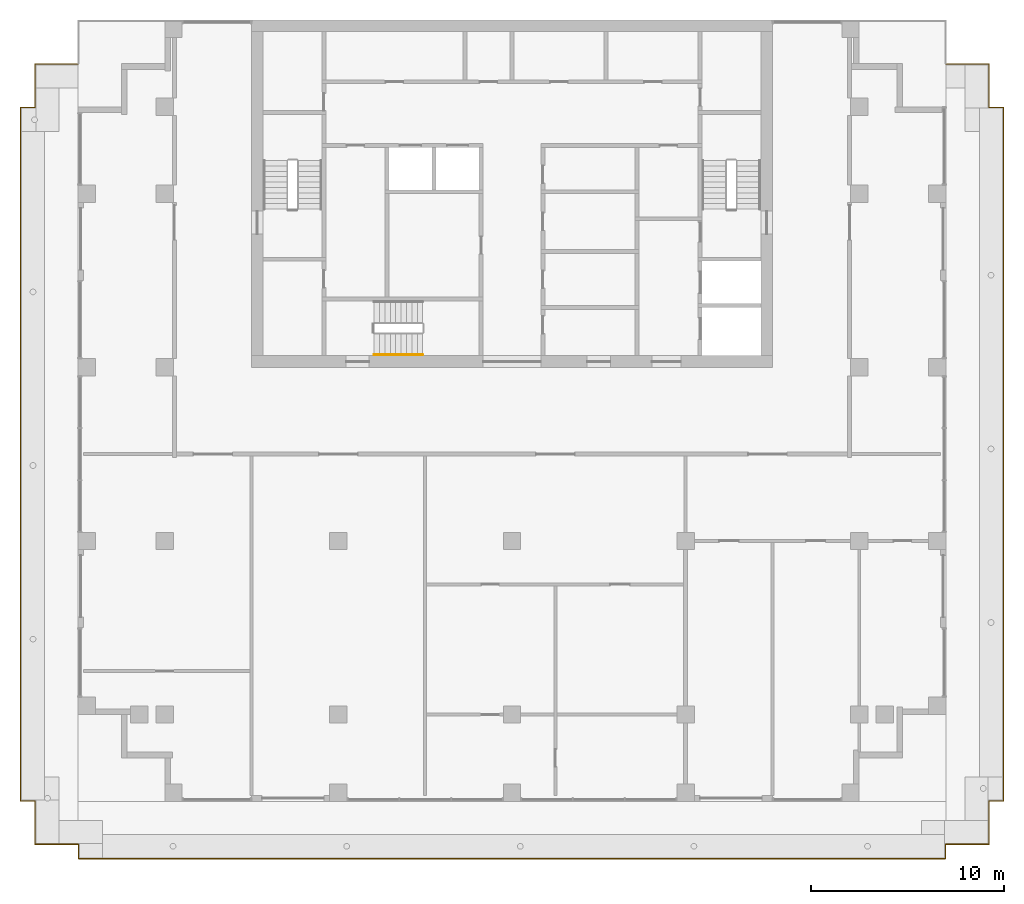
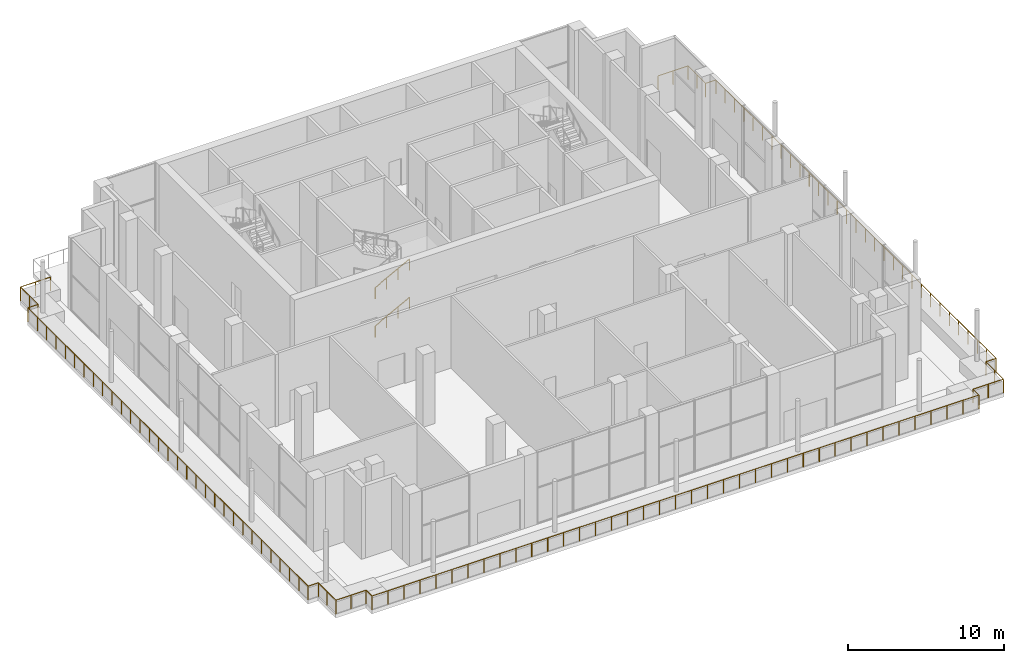
# One storey, part 11 of 13: 3 railings.
"""IFC4 building model written with IfcOpenShell, lengths in metres."""

from ifc_helpers import new_model, si_unit, direction, frame, origin, origin_2d, place, context, subcontext, project, spatial, polyline, rectangle, circle, outline, extrude, material, type_object, element, save


model = new_model("IFC4")

# Units and contexts
model_context = context("Model", 3, precision=1e-05, world=origin(), true_north=direction((0.0, 1.0)))
body_context = subcontext(model_context, "Body", "Model", "MODEL_VIEW")
ifc_project = project(units=[si_unit("LENGTHUNIT", "METRE"), si_unit("AREAUNIT", "SQUARE_METRE"), si_unit("VOLUMEUNIT", "CUBIC_METRE"), si_unit("PLANEANGLEUNIT", "RADIAN"), si_unit("MASSUNIT", "GRAM", prefix="KILO")], contexts=[model_context])

# Site, building, storey
site_placement = place(None, origin())
site = spatial("IfcSite", under=ifc_project, at=site_placement, CompositionType="ELEMENT")
building_placement = place(site_placement, origin())
building = spatial("IfcBuilding", under=site, at=building_placement, Name="Orbiselva Terraces", CompositionType="ELEMENT")
storey_placement = place(building_placement, frame((0.0, 0.0, 297.4)))
storey = spatial("IfcBuildingStorey", under=building, at=storey_placement, Name="L74", CompositionType="ELEMENT", Elevation=297.4)

# Railings
ifc_material_1 = material(Name="Stainless steel", Category="steel")
railing_type_1 = type_object("IfcRailingType", Name="CORE-HANDRAIL-900", PredefinedType="HANDRAIL", material=ifc_material_1)
for number, where, name in (
    (1, (-7.15, 5.15, 0.15), "L74 S3 stair handrail 1"),
    (2, (-7.15, 5.15, 3.15), "L74 S3 stair handrail 3"),
):
    element("IfcRailing", number, at=place(storey_placement, frame(where)), inside=storey, type_object=railing_type_1, Name=name, PredefinedType="HANDRAIL", context=body_context, shape_type="SweptSolid", body=[
        extrude(circle(Radius=0.024, at=origin_2d()), frame((0.0, 0.0, 0.876), z_axis=(0.881479970029, 0.0, 0.472221412515), x_axis=(0.0, 1.0, 0.0)), (0.0, 0.0, 1.0), 2.858828),
        extrude(circle(Radius=0.021, at=origin_2d()), origin(), (0.0, 0.0, 1.0), 0.852),
        extrude(circle(Radius=0.021, at=origin_2d()), frame((0.84, 0.0, 0.45)), (0.0, 0.0, 1.0), 0.852),
        extrude(circle(Radius=0.021, at=origin_2d()), frame((1.68, 0.0, 0.9)), (0.0, 0.0, 1.0), 0.852),
        extrude(circle(Radius=0.021, at=origin_2d()), frame((2.52, 0.0, 1.35)), (0.0, 0.0, 1.0), 0.852),
    ])
ifc_material_2 = material(Name="Stainless steel rail and posts", Category="steel")
railing_type_2 = type_object("IfcRailingType", Name="ENV-TERRACE-GUARD-1105", PredefinedType="BALUSTRADE", material=ifc_material_2)
railing_placement = place(storey_placement, frame((-22.5, 20.225, 0.0)))
element("IfcRailing", 3, at=railing_placement, inside=storey, type_object=railing_type_2, Name="Guard L74 ring", PredefinedType="BALUSTRADE", context=body_context, shape_type="SweptSolid", body=[
    extrude(outline(polyline([(0.028868, 0.0), (0.014434, 0.025), (-0.014434, 0.025), (-0.028868, 0.0), (-0.014434, -0.025), (0.014434, -0.025), (0.028868, 0.0)])), frame((0.0, 0.0, 1.08), z_axis=(-1.0, 0.0, 0.0), x_axis=(0.0, -1.0, 0.0)), (0.0, 0.0, 1.0), 2.225),
    extrude(outline(polyline([(0.028868, 0.0), (0.014434, 0.025), (-0.014434, 0.025), (-0.028868, 0.0), (-0.014434, -0.025), (0.014434, -0.025), (0.028868, 0.0)])), frame((-2.225, 0.0, 1.08), z_axis=(0.0, -1.0, 0.0), x_axis=(1.0, 0.0, 0.0)), (0.0, 0.0, 1.0), 2.25),
    extrude(outline(polyline([(0.028868, 0.0), (0.014434, 0.025), (-0.014434, 0.025), (-0.028868, 0.0), (-0.014434, -0.025), (0.014434, -0.025), (0.028868, 0.0)])), frame((-2.225, -2.25, 1.08), z_axis=(-1.0, 0.0, 0.0), x_axis=(0.0, -1.0, 0.0)), (0.0, 0.0, 1.0), 0.75),
    extrude(outline(polyline([(0.028868, 0.0), (0.014434, 0.025), (-0.014434, 0.025), (-0.028868, 0.0), (-0.014434, -0.025), (0.014434, -0.025), (0.028868, 0.0)])), frame((-2.975, -2.25, 1.08), z_axis=(0.0, -1.0, 0.0), x_axis=(1.0, 0.0, 0.0)), (0.0, 0.0, 1.0), 35.95),
    extrude(outline(polyline([(0.028868, 0.0), (0.014434, 0.025), (-0.014434, 0.025), (-0.028868, 0.0), (-0.014434, -0.025), (0.014434, -0.025), (0.028868, 0.0)])), frame((-2.975, -38.2, 1.08), z_axis=(1.0, 0.0, 0.0), x_axis=(0.0, 1.0, 0.0)), (0.0, 0.0, 1.0), 0.75),
    extrude(outline(polyline([(0.028868, 0.0), (0.014434, 0.025), (-0.014434, 0.025), (-0.028868, 0.0), (-0.014434, -0.025), (0.014434, -0.025), (0.028868, 0.0)])), frame((-2.225, -38.2, 1.08), z_axis=(0.0, -1.0, 0.0), x_axis=(1.0, 0.0, 0.0)), (0.0, 0.0, 1.0), 2.25),
    extrude(outline(polyline([(0.028868, 0.0), (0.014434, 0.025), (-0.014434, 0.025), (-0.028868, 0.0), (-0.014434, -0.025), (0.014434, -0.025), (0.028868, 0.0)])), frame((-2.225, -40.45, 1.08), z_axis=(1.0, 0.0, 0.0), x_axis=(0.0, 1.0, 0.0)), (0.0, 0.0, 1.0), 2.25),
    extrude(outline(polyline([(0.028868, 0.0), (0.014434, 0.025), (-0.014434, 0.025), (-0.028868, 0.0), (-0.014434, -0.025), (0.014434, -0.025), (0.028868, 0.0)])), frame((0.025, -40.45, 1.08), z_axis=(0.0, -1.0, 0.0), x_axis=(1.0, 0.0, 0.0)), (0.0, 0.0, 1.0), 0.75),
    extrude(outline(polyline([(0.028868, 0.0), (0.014434, 0.025), (-0.014434, 0.025), (-0.028868, 0.0), (-0.014434, -0.025), (0.014434, -0.025), (0.028868, 0.0)])), frame((0.025, -41.2, 1.08), z_axis=(1.0, 0.0, 0.0), x_axis=(0.0, 1.0, 0.0)), (0.0, 0.0, 1.0), 44.95),
    extrude(outline(polyline([(0.028868, 0.0), (0.014434, 0.025), (-0.014434, 0.025), (-0.028868, 0.0), (-0.014434, -0.025), (0.014434, -0.025), (0.028868, 0.0)])), frame((44.975, -41.2, 1.08), z_axis=(0.0, 1.0, 0.0), x_axis=(-1.0, 0.0, 0.0)), (0.0, 0.0, 1.0), 0.75),
    extrude(outline(polyline([(0.028868, 0.0), (0.014434, 0.025), (-0.014434, 0.025), (-0.028868, 0.0), (-0.014434, -0.025), (0.014434, -0.025), (0.028868, 0.0)])), frame((44.975, -40.45, 1.08), z_axis=(1.0, 0.0, 0.0), x_axis=(0.0, 1.0, 0.0)), (0.0, 0.0, 1.0), 2.25),
    extrude(outline(polyline([(0.028868, 0.0), (0.014434, 0.025), (-0.014434, 0.025), (-0.028868, 0.0), (-0.014434, -0.025), (0.014434, -0.025), (0.028868, 0.0)])), frame((47.225, -40.45, 1.08), z_axis=(0.0, 1.0, 0.0), x_axis=(-1.0, 0.0, 0.0)), (0.0, 0.0, 1.0), 2.25),
    extrude(outline(polyline([(0.028868, 0.0), (0.014434, 0.025), (-0.014434, 0.025), (-0.028868, 0.0), (-0.014434, -0.025), (0.014434, -0.025), (0.028868, 0.0)])), frame((47.225, -38.2, 1.08), z_axis=(1.0, 0.0, 0.0), x_axis=(0.0, 1.0, 0.0)), (0.0, 0.0, 1.0), 0.75),
    extrude(outline(polyline([(0.028868, 0.0), (0.014434, 0.025), (-0.014434, 0.025), (-0.028868, 0.0), (-0.014434, -0.025), (0.014434, -0.025), (0.028868, 0.0)])), frame((47.975, -38.2, 1.08), z_axis=(0.0, 1.0, 0.0), x_axis=(-1.0, 0.0, 0.0)), (0.0, 0.0, 1.0), 35.95),
    extrude(outline(polyline([(0.028868, 0.0), (0.014434, 0.025), (-0.014434, 0.025), (-0.028868, 0.0), (-0.014434, -0.025), (0.014434, -0.025), (0.028868, 0.0)])), frame((47.975, -2.25, 1.08), z_axis=(-1.0, 0.0, 0.0), x_axis=(0.0, -1.0, 0.0)), (0.0, 0.0, 1.0), 0.75),
    extrude(outline(polyline([(0.028868, 0.0), (0.014434, 0.025), (-0.014434, 0.025), (-0.028868, 0.0), (-0.014434, -0.025), (0.014434, -0.025), (0.028868, 0.0)])), frame((47.225, -2.25, 1.08), z_axis=(0.0, 1.0, 0.0), x_axis=(-1.0, 0.0, 0.0)), (0.0, 0.0, 1.0), 2.25),
    extrude(outline(polyline([(0.028868, 0.0), (0.014434, 0.025), (-0.014434, 0.025), (-0.028868, 0.0), (-0.014434, -0.025), (0.014434, -0.025), (0.028868, 0.0)])), frame((47.225, 0.0, 1.08), z_axis=(-1.0, 0.0, 0.0), x_axis=(0.0, -1.0, 0.0)), (0.0, 0.0, 1.0), 2.225),
    extrude(rectangle(XDim=0.05, YDim=0.05, at=origin_2d()), origin(), (0.0, 0.0, 1.0), 1.055),
    extrude(rectangle(XDim=0.05, YDim=0.05, at=origin_2d()), frame((-1.1125, 0.0, 0.0)), (0.0, 0.0, 1.0), 1.055),
    extrude(rectangle(XDim=0.05, YDim=0.05, at=origin_2d()), frame((-2.225, 0.0, 0.0)), (0.0, 0.0, 1.0), 1.055),
    extrude(rectangle(XDim=0.05, YDim=0.05, at=origin_2d()), frame((-2.225, -1.125, 0.0)), (0.0, 0.0, 1.0), 1.055),
    extrude(rectangle(XDim=0.05, YDim=0.05, at=origin_2d()), frame((-2.225, -2.25, 0.0)), (0.0, 0.0, 1.0), 1.055),
    extrude(rectangle(XDim=0.05, YDim=0.05, at=origin_2d()), frame((-2.975, -2.25, 0.0)), (0.0, 0.0, 1.0), 1.055),
    extrude(rectangle(XDim=0.05, YDim=0.05, at=origin_2d()), frame((-2.975, -3.448333, 0.0)), (0.0, 0.0, 1.0), 1.055),
    extrude(rectangle(XDim=0.05, YDim=0.05, at=origin_2d()), frame((-2.975, -4.646667, 0.0)), (0.0, 0.0, 1.0), 1.055),
    extrude(rectangle(XDim=0.05, YDim=0.05, at=origin_2d()), frame((-2.975, -5.845, 0.0)), (0.0, 0.0, 1.0), 1.055),
    extrude(rectangle(XDim=0.05, YDim=0.05, at=origin_2d()), frame((-2.975, -7.043333, 0.0)), (0.0, 0.0, 1.0), 1.055),
    extrude(rectangle(XDim=0.05, YDim=0.05, at=origin_2d()), frame((-2.975, -8.241667, 0.0)), (0.0, 0.0, 1.0), 1.055),
    extrude(rectangle(XDim=0.05, YDim=0.05, at=origin_2d()), frame((-2.975, -9.44, 0.0)), (0.0, 0.0, 1.0), 1.055),
    extrude(rectangle(XDim=0.05, YDim=0.05, at=origin_2d()), frame((-2.975, -10.638333, 0.0)), (0.0, 0.0, 1.0), 1.055),
    extrude(rectangle(XDim=0.05, YDim=0.05, at=origin_2d()), frame((-2.975, -11.836667, 0.0)), (0.0, 0.0, 1.0), 1.055),
    extrude(rectangle(XDim=0.05, YDim=0.05, at=origin_2d()), frame((-2.975, -13.035, 0.0)), (0.0, 0.0, 1.0), 1.055),
    extrude(rectangle(XDim=0.05, YDim=0.05, at=origin_2d()), frame((-2.975, -14.233333, 0.0)), (0.0, 0.0, 1.0), 1.055),
    extrude(rectangle(XDim=0.05, YDim=0.05, at=origin_2d()), frame((-2.975, -15.431667, 0.0)), (0.0, 0.0, 1.0), 1.055),
    extrude(rectangle(XDim=0.05, YDim=0.05, at=origin_2d()), frame((-2.975, -16.63, 0.0)), (0.0, 0.0, 1.0), 1.055),
    extrude(rectangle(XDim=0.05, YDim=0.05, at=origin_2d()), frame((-2.975, -17.828333, 0.0)), (0.0, 0.0, 1.0), 1.055),
    extrude(rectangle(XDim=0.05, YDim=0.05, at=origin_2d()), frame((-2.975, -19.026667, 0.0)), (0.0, 0.0, 1.0), 1.055),
    extrude(rectangle(XDim=0.05, YDim=0.05, at=origin_2d()), frame((-2.975, -20.225, 0.0)), (0.0, 0.0, 1.0), 1.055),
    extrude(rectangle(XDim=0.05, YDim=0.05, at=origin_2d()), frame((-2.975, -21.423333, 0.0)), (0.0, 0.0, 1.0), 1.055),
    extrude(rectangle(XDim=0.05, YDim=0.05, at=origin_2d()), frame((-2.975, -22.621667, 0.0)), (0.0, 0.0, 1.0), 1.055),
    extrude(rectangle(XDim=0.05, YDim=0.05, at=origin_2d()), frame((-2.975, -23.82, 0.0)), (0.0, 0.0, 1.0), 1.055),
    extrude(rectangle(XDim=0.05, YDim=0.05, at=origin_2d()), frame((-2.975, -25.018333, 0.0)), (0.0, 0.0, 1.0), 1.055),
    extrude(rectangle(XDim=0.05, YDim=0.05, at=origin_2d()), frame((-2.975, -26.216667, 0.0)), (0.0, 0.0, 1.0), 1.055),
    extrude(rectangle(XDim=0.05, YDim=0.05, at=origin_2d()), frame((-2.975, -27.415, 0.0)), (0.0, 0.0, 1.0), 1.055),
    extrude(rectangle(XDim=0.05, YDim=0.05, at=origin_2d()), frame((-2.975, -28.613333, 0.0)), (0.0, 0.0, 1.0), 1.055),
    extrude(rectangle(XDim=0.05, YDim=0.05, at=origin_2d()), frame((-2.975, -29.811667, 0.0)), (0.0, 0.0, 1.0), 1.055),
    extrude(rectangle(XDim=0.05, YDim=0.05, at=origin_2d()), frame((-2.975, -31.01, 0.0)), (0.0, 0.0, 1.0), 1.055),
    extrude(rectangle(XDim=0.05, YDim=0.05, at=origin_2d()), frame((-2.975, -32.208333, 0.0)), (0.0, 0.0, 1.0), 1.055),
    extrude(rectangle(XDim=0.05, YDim=0.05, at=origin_2d()), frame((-2.975, -33.406667, 0.0)), (0.0, 0.0, 1.0), 1.055),
    extrude(rectangle(XDim=0.05, YDim=0.05, at=origin_2d()), frame((-2.975, -34.605, 0.0)), (0.0, 0.0, 1.0), 1.055),
    extrude(rectangle(XDim=0.05, YDim=0.05, at=origin_2d()), frame((-2.975, -35.803333, 0.0)), (0.0, 0.0, 1.0), 1.055),
    extrude(rectangle(XDim=0.05, YDim=0.05, at=origin_2d()), frame((-2.975, -37.001667, 0.0)), (0.0, 0.0, 1.0), 1.055),
    extrude(rectangle(XDim=0.05, YDim=0.05, at=origin_2d()), frame((-2.975, -38.2, 0.0)), (0.0, 0.0, 1.0), 1.055),
    extrude(rectangle(XDim=0.05, YDim=0.05, at=origin_2d()), frame((-2.225, -38.2, 0.0)), (0.0, 0.0, 1.0), 1.055),
    extrude(rectangle(XDim=0.05, YDim=0.05, at=origin_2d()), frame((-2.225, -39.325, 0.0)), (0.0, 0.0, 1.0), 1.055),
    extrude(rectangle(XDim=0.05, YDim=0.05, at=origin_2d()), frame((-2.225, -40.45, 0.0)), (0.0, 0.0, 1.0), 1.055),
    extrude(rectangle(XDim=0.05, YDim=0.05, at=origin_2d()), frame((-1.1, -40.45, 0.0)), (0.0, 0.0, 1.0), 1.055),
    extrude(rectangle(XDim=0.05, YDim=0.05, at=origin_2d()), frame((0.025, -40.45, 0.0)), (0.0, 0.0, 1.0), 1.055),
    extrude(rectangle(XDim=0.05, YDim=0.05, at=origin_2d()), frame((0.025, -41.2, 0.0)), (0.0, 0.0, 1.0), 1.055),
    extrude(rectangle(XDim=0.05, YDim=0.05, at=origin_2d()), frame((1.207895, -41.2, 0.0)), (0.0, 0.0, 1.0), 1.055),
    extrude(rectangle(XDim=0.05, YDim=0.05, at=origin_2d()), frame((2.390789, -41.2, 0.0)), (0.0, 0.0, 1.0), 1.055),
    extrude(rectangle(XDim=0.05, YDim=0.05, at=origin_2d()), frame((3.573684, -41.2, 0.0)), (0.0, 0.0, 1.0), 1.055),
    extrude(rectangle(XDim=0.05, YDim=0.05, at=origin_2d()), frame((4.756579, -41.2, 0.0)), (0.0, 0.0, 1.0), 1.055),
    extrude(rectangle(XDim=0.05, YDim=0.05, at=origin_2d()), frame((5.939474, -41.2, 0.0)), (0.0, 0.0, 1.0), 1.055),
    extrude(rectangle(XDim=0.05, YDim=0.05, at=origin_2d()), frame((7.122368, -41.2, 0.0)), (0.0, 0.0, 1.0), 1.055),
    extrude(rectangle(XDim=0.05, YDim=0.05, at=origin_2d()), frame((8.305263, -41.2, 0.0)), (0.0, 0.0, 1.0), 1.055),
    extrude(rectangle(XDim=0.05, YDim=0.05, at=origin_2d()), frame((9.488158, -41.2, 0.0)), (0.0, 0.0, 1.0), 1.055),
    extrude(rectangle(XDim=0.05, YDim=0.05, at=origin_2d()), frame((10.671053, -41.2, 0.0)), (0.0, 0.0, 1.0), 1.055),
    extrude(rectangle(XDim=0.05, YDim=0.05, at=origin_2d()), frame((11.853947, -41.2, 0.0)), (0.0, 0.0, 1.0), 1.055),
    extrude(rectangle(XDim=0.05, YDim=0.05, at=origin_2d()), frame((13.036842, -41.2, 0.0)), (0.0, 0.0, 1.0), 1.055),
    extrude(rectangle(XDim=0.05, YDim=0.05, at=origin_2d()), frame((14.219737, -41.2, 0.0)), (0.0, 0.0, 1.0), 1.055),
    extrude(rectangle(XDim=0.05, YDim=0.05, at=origin_2d()), frame((15.402632, -41.2, 0.0)), (0.0, 0.0, 1.0), 1.055),
    extrude(rectangle(XDim=0.05, YDim=0.05, at=origin_2d()), frame((16.585526, -41.2, 0.0)), (0.0, 0.0, 1.0), 1.055),
    extrude(rectangle(XDim=0.05, YDim=0.05, at=origin_2d()), frame((17.768421, -41.2, 0.0)), (0.0, 0.0, 1.0), 1.055),
    extrude(rectangle(XDim=0.05, YDim=0.05, at=origin_2d()), frame((18.951316, -41.2, 0.0)), (0.0, 0.0, 1.0), 1.055),
    extrude(rectangle(XDim=0.05, YDim=0.05, at=origin_2d()), frame((20.134211, -41.2, 0.0)), (0.0, 0.0, 1.0), 1.055),
    extrude(rectangle(XDim=0.05, YDim=0.05, at=origin_2d()), frame((21.317105, -41.2, 0.0)), (0.0, 0.0, 1.0), 1.055),
    extrude(rectangle(XDim=0.05, YDim=0.05, at=origin_2d()), frame((22.5, -41.2, 0.0)), (0.0, 0.0, 1.0), 1.055),
    extrude(rectangle(XDim=0.05, YDim=0.05, at=origin_2d()), frame((23.682895, -41.2, 0.0)), (0.0, 0.0, 1.0), 1.055),
    extrude(rectangle(XDim=0.05, YDim=0.05, at=origin_2d()), frame((24.865789, -41.2, 0.0)), (0.0, 0.0, 1.0), 1.055),
    extrude(rectangle(XDim=0.05, YDim=0.05, at=origin_2d()), frame((26.048684, -41.2, 0.0)), (0.0, 0.0, 1.0), 1.055),
    extrude(rectangle(XDim=0.05, YDim=0.05, at=origin_2d()), frame((27.231579, -41.2, 0.0)), (0.0, 0.0, 1.0), 1.055),
    extrude(rectangle(XDim=0.05, YDim=0.05, at=origin_2d()), frame((28.414474, -41.2, 0.0)), (0.0, 0.0, 1.0), 1.055),
    extrude(rectangle(XDim=0.05, YDim=0.05, at=origin_2d()), frame((29.597368, -41.2, 0.0)), (0.0, 0.0, 1.0), 1.055),
    extrude(rectangle(XDim=0.05, YDim=0.05, at=origin_2d()), frame((30.780263, -41.2, 0.0)), (0.0, 0.0, 1.0), 1.055),
    extrude(rectangle(XDim=0.05, YDim=0.05, at=origin_2d()), frame((31.963158, -41.2, 0.0)), (0.0, 0.0, 1.0), 1.055),
    extrude(rectangle(XDim=0.05, YDim=0.05, at=origin_2d()), frame((33.146053, -41.2, 0.0)), (0.0, 0.0, 1.0), 1.055),
    extrude(rectangle(XDim=0.05, YDim=0.05, at=origin_2d()), frame((34.328947, -41.2, 0.0)), (0.0, 0.0, 1.0), 1.055),
    extrude(rectangle(XDim=0.05, YDim=0.05, at=origin_2d()), frame((35.511842, -41.2, 0.0)), (0.0, 0.0, 1.0), 1.055),
    extrude(rectangle(XDim=0.05, YDim=0.05, at=origin_2d()), frame((36.694737, -41.2, 0.0)), (0.0, 0.0, 1.0), 1.055),
    extrude(rectangle(XDim=0.05, YDim=0.05, at=origin_2d()), frame((37.877632, -41.2, 0.0)), (0.0, 0.0, 1.0), 1.055),
    extrude(rectangle(XDim=0.05, YDim=0.05, at=origin_2d()), frame((39.060526, -41.2, 0.0)), (0.0, 0.0, 1.0), 1.055),
    extrude(rectangle(XDim=0.05, YDim=0.05, at=origin_2d()), frame((40.243421, -41.2, 0.0)), (0.0, 0.0, 1.0), 1.055),
    extrude(rectangle(XDim=0.05, YDim=0.05, at=origin_2d()), frame((41.426316, -41.2, 0.0)), (0.0, 0.0, 1.0), 1.055),
    extrude(rectangle(XDim=0.05, YDim=0.05, at=origin_2d()), frame((42.609211, -41.2, 0.0)), (0.0, 0.0, 1.0), 1.055),
    extrude(rectangle(XDim=0.05, YDim=0.05, at=origin_2d()), frame((43.792105, -41.2, 0.0)), (0.0, 0.0, 1.0), 1.055),
    extrude(rectangle(XDim=0.05, YDim=0.05, at=origin_2d()), frame((44.975, -41.2, 0.0)), (0.0, 0.0, 1.0), 1.055),
    extrude(rectangle(XDim=0.05, YDim=0.05, at=origin_2d()), frame((44.975, -40.45, 0.0)), (0.0, 0.0, 1.0), 1.055),
    extrude(rectangle(XDim=0.05, YDim=0.05, at=origin_2d()), frame((46.1, -40.45, 0.0)), (0.0, 0.0, 1.0), 1.055),
    extrude(rectangle(XDim=0.05, YDim=0.05, at=origin_2d()), frame((47.225, -40.45, 0.0)), (0.0, 0.0, 1.0), 1.055),
    extrude(rectangle(XDim=0.05, YDim=0.05, at=origin_2d()), frame((47.225, -39.325, 0.0)), (0.0, 0.0, 1.0), 1.055),
    extrude(rectangle(XDim=0.05, YDim=0.05, at=origin_2d()), frame((47.225, -38.2, 0.0)), (0.0, 0.0, 1.0), 1.055),
    extrude(rectangle(XDim=0.05, YDim=0.05, at=origin_2d()), frame((47.975, -38.2, 0.0)), (0.0, 0.0, 1.0), 1.055),
    extrude(rectangle(XDim=0.05, YDim=0.05, at=origin_2d()), frame((47.975, -37.001667, 0.0)), (0.0, 0.0, 1.0), 1.055),
    extrude(rectangle(XDim=0.05, YDim=0.05, at=origin_2d()), frame((47.975, -35.803333, 0.0)), (0.0, 0.0, 1.0), 1.055),
    extrude(rectangle(XDim=0.05, YDim=0.05, at=origin_2d()), frame((47.975, -34.605, 0.0)), (0.0, 0.0, 1.0), 1.055),
    extrude(rectangle(XDim=0.05, YDim=0.05, at=origin_2d()), frame((47.975, -33.406667, 0.0)), (0.0, 0.0, 1.0), 1.055),
    extrude(rectangle(XDim=0.05, YDim=0.05, at=origin_2d()), frame((47.975, -32.208333, 0.0)), (0.0, 0.0, 1.0), 1.055),
    extrude(rectangle(XDim=0.05, YDim=0.05, at=origin_2d()), frame((47.975, -31.01, 0.0)), (0.0, 0.0, 1.0), 1.055),
    extrude(rectangle(XDim=0.05, YDim=0.05, at=origin_2d()), frame((47.975, -29.811667, 0.0)), (0.0, 0.0, 1.0), 1.055),
    extrude(rectangle(XDim=0.05, YDim=0.05, at=origin_2d()), frame((47.975, -28.613333, 0.0)), (0.0, 0.0, 1.0), 1.055),
    extrude(rectangle(XDim=0.05, YDim=0.05, at=origin_2d()), frame((47.975, -27.415, 0.0)), (0.0, 0.0, 1.0), 1.055),
    extrude(rectangle(XDim=0.05, YDim=0.05, at=origin_2d()), frame((47.975, -26.216667, 0.0)), (0.0, 0.0, 1.0), 1.055),
    extrude(rectangle(XDim=0.05, YDim=0.05, at=origin_2d()), frame((47.975, -25.018333, 0.0)), (0.0, 0.0, 1.0), 1.055),
    extrude(rectangle(XDim=0.05, YDim=0.05, at=origin_2d()), frame((47.975, -23.82, 0.0)), (0.0, 0.0, 1.0), 1.055),
    extrude(rectangle(XDim=0.05, YDim=0.05, at=origin_2d()), frame((47.975, -22.621667, 0.0)), (0.0, 0.0, 1.0), 1.055),
    extrude(rectangle(XDim=0.05, YDim=0.05, at=origin_2d()), frame((47.975, -21.423333, 0.0)), (0.0, 0.0, 1.0), 1.055),
    extrude(rectangle(XDim=0.05, YDim=0.05, at=origin_2d()), frame((47.975, -20.225, 0.0)), (0.0, 0.0, 1.0), 1.055),
    extrude(rectangle(XDim=0.05, YDim=0.05, at=origin_2d()), frame((47.975, -19.026667, 0.0)), (0.0, 0.0, 1.0), 1.055),
    extrude(rectangle(XDim=0.05, YDim=0.05, at=origin_2d()), frame((47.975, -17.828333, 0.0)), (0.0, 0.0, 1.0), 1.055),
    extrude(rectangle(XDim=0.05, YDim=0.05, at=origin_2d()), frame((47.975, -16.63, 0.0)), (0.0, 0.0, 1.0), 1.055),
    extrude(rectangle(XDim=0.05, YDim=0.05, at=origin_2d()), frame((47.975, -15.431667, 0.0)), (0.0, 0.0, 1.0), 1.055),
    extrude(rectangle(XDim=0.05, YDim=0.05, at=origin_2d()), frame((47.975, -14.233333, 0.0)), (0.0, 0.0, 1.0), 1.055),
    extrude(rectangle(XDim=0.05, YDim=0.05, at=origin_2d()), frame((47.975, -13.035, 0.0)), (0.0, 0.0, 1.0), 1.055),
    extrude(rectangle(XDim=0.05, YDim=0.05, at=origin_2d()), frame((47.975, -11.836667, 0.0)), (0.0, 0.0, 1.0), 1.055),
    extrude(rectangle(XDim=0.05, YDim=0.05, at=origin_2d()), frame((47.975, -10.638333, 0.0)), (0.0, 0.0, 1.0), 1.055),
    extrude(rectangle(XDim=0.05, YDim=0.05, at=origin_2d()), frame((47.975, -9.44, 0.0)), (0.0, 0.0, 1.0), 1.055),
    extrude(rectangle(XDim=0.05, YDim=0.05, at=origin_2d()), frame((47.975, -8.241667, 0.0)), (0.0, 0.0, 1.0), 1.055),
    extrude(rectangle(XDim=0.05, YDim=0.05, at=origin_2d()), frame((47.975, -7.043333, 0.0)), (0.0, 0.0, 1.0), 1.055),
    extrude(rectangle(XDim=0.05, YDim=0.05, at=origin_2d()), frame((47.975, -5.845, 0.0)), (0.0, 0.0, 1.0), 1.055),
    extrude(rectangle(XDim=0.05, YDim=0.05, at=origin_2d()), frame((47.975, -4.646667, 0.0)), (0.0, 0.0, 1.0), 1.055),
    extrude(rectangle(XDim=0.05, YDim=0.05, at=origin_2d()), frame((47.975, -3.448333, 0.0)), (0.0, 0.0, 1.0), 1.055),
    extrude(rectangle(XDim=0.05, YDim=0.05, at=origin_2d()), frame((47.975, -2.25, 0.0)), (0.0, 0.0, 1.0), 1.055),
    extrude(rectangle(XDim=0.05, YDim=0.05, at=origin_2d()), frame((47.225, -2.25, 0.0)), (0.0, 0.0, 1.0), 1.055),
    extrude(rectangle(XDim=0.05, YDim=0.05, at=origin_2d()), frame((47.225, -1.125, 0.0)), (0.0, 0.0, 1.0), 1.055),
    extrude(rectangle(XDim=0.05, YDim=0.05, at=origin_2d()), frame((47.225, 0.0, 0.0)), (0.0, 0.0, 1.0), 1.055),
    extrude(rectangle(XDim=0.05, YDim=0.05, at=origin_2d()), frame((46.1125, 0.0, 0.0)), (0.0, 0.0, 1.0), 1.055),
    extrude(rectangle(XDim=0.05, YDim=0.05, at=origin_2d()), frame((45.0, 0.0, 0.0)), (0.0, 0.0, 1.0), 1.055),
])

save(model, "model.ifc")
